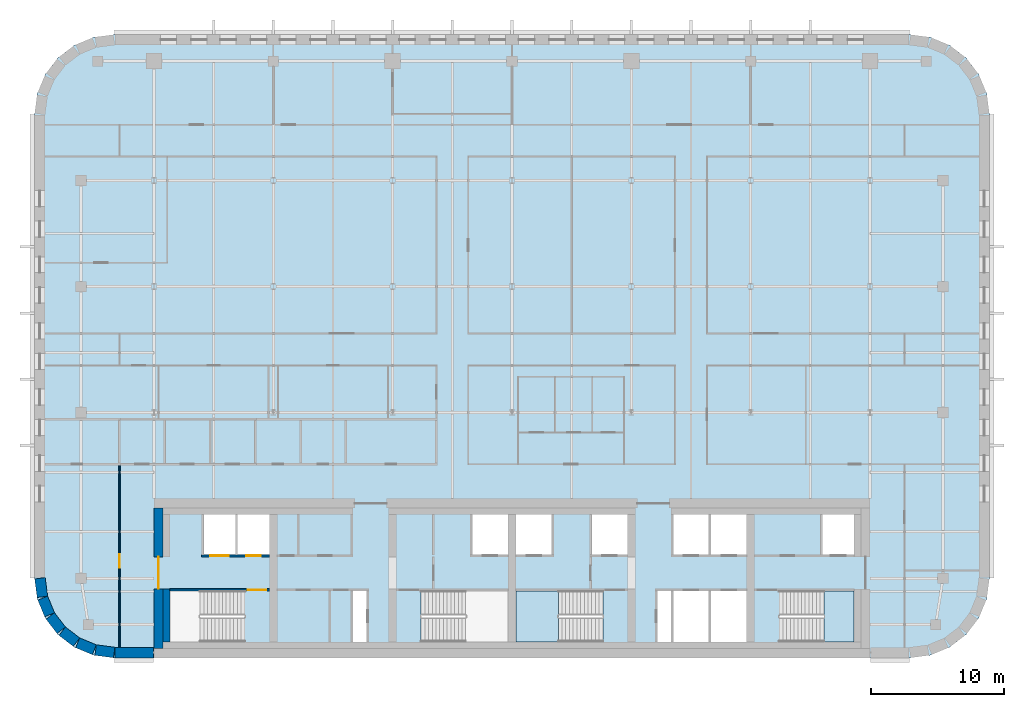
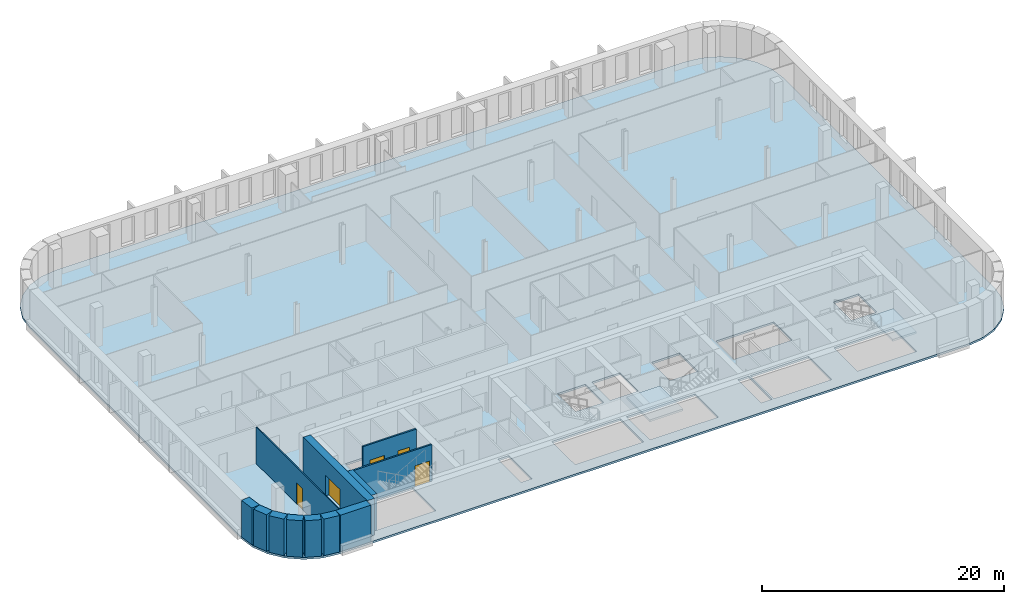
# One storey, part 5 of 15: 12 walls, 5 doors, 3 slabs, 5 openings, 2 elements without a shape of their own.
"""IFC4 building model written with IfcOpenShell, lengths in metres."""

from ifc_helpers import new_model, si_unit, direction, frame, frame_2d, origin, place, context, subcontext, project, spatial, polyline, rectangle, outline, extrude, material, layer, layer_set, type_object, element, fill, aggregate, save


model = new_model("IFC4")

# Units and contexts
model_context = context("Model", 3, precision=1e-05, world=origin(), true_north=direction((0.0, 1.0)))
body_context = subcontext(model_context, "Body", "Model", "MODEL_VIEW")
ifc_project = project(units=[si_unit("LENGTHUNIT", "METRE"), si_unit("AREAUNIT", "SQUARE_METRE"), si_unit("VOLUMEUNIT", "CUBIC_METRE"), si_unit("PLANEANGLEUNIT", "RADIAN"), si_unit("MASSUNIT", "GRAM", prefix="KILO")], contexts=[model_context])

# Site, building, storey
site_placement = place(None, origin())
site = spatial("IfcSite", under=ifc_project, at=site_placement, CompositionType="ELEMENT")
building_placement = place(site_placement, origin())
building = spatial("IfcBuilding", under=site, at=building_placement, Name="Zellij Exchange Tower", CompositionType="ELEMENT")
storey_placement = place(building_placement, frame((0.0, 0.0, 260.5)))
storey = spatial("IfcBuildingStorey", under=building, at=storey_placement, Name="L61", CompositionType="ELEMENT", Elevation=260.5)

# Stair, slab
ifc_material_1 = material(Name="Concrete C40/50", Category="concrete")
stair_type = type_object("IfcStairType", Name="CORE-ST exit stair 1850 wide", PredefinedType="HALF_TURN_STAIR", material=ifc_material_1)
stair_1_placement = place(storey_placement, origin())
stair_1 = element("IfcStair", 1, at=stair_1_placement, inside=storey, type_object=stair_type, Name="L61 exit stair ST3", PredefinedType="HALF_TURN_STAIR")
ifc_layer_1 = layer(ifc_material_1, 0.199951171875)
ifc_layer_set_1 = layer_set([ifc_layer_1], Name="Concrete C40/50")
slab_type_1 = type_object("IfcSlabType", Name="CORE-SL stair landing 200", PredefinedType="LANDING", material=ifc_layer_set_1)
slab_1_placement = place(storey_placement, frame((0.0, 0.0, 1.800048828125)))
slab_1 = element("IfcSlab", 2, at=slab_1_placement, type_object=slab_type_1, Name="ST3 landing 1", PredefinedType="LANDING", context=body_context, shape_type="SweptSolid", body=[
    extrude(outline(polyline([(3.489990234375, -8.949951171875), (0.300048828125, -8.949951171875), (0.300048828125, -12.800048828125), (3.489990234375, -12.800048828125), (3.489990234375, -8.949951171875)])), origin(), (0.0, 0.0, 1.0), 0.199951171875),
])
aggregate(stair_1, [slab_1])

stair_2_placement = place(storey_placement, origin())
stair_2 = element("IfcStair", 3, at=stair_2_placement, inside=storey, type_object=stair_type, Name="L61 exit stair ST4", PredefinedType="HALF_TURN_STAIR")
slab_2_placement = place(storey_placement, frame((0.0, 0.0, 1.800048828125)))
slab_2 = element("IfcSlab", 4, at=slab_2_placement, type_object=slab_type_1, Name="ST4 landing 1", PredefinedType="LANDING", context=body_context, shape_type="SweptSolid", body=[
    extrude(outline(polyline([(23.510009765625, -12.800048828125), (25.800048828125, -12.800048828125), (25.800048828125, -8.949951171875), (23.510009765625, -8.949951171875), (23.510009765625, -12.800048828125)])), origin(), (0.0, 0.0, 1.0), 0.199951171875),
])
aggregate(stair_2, [slab_2])

# Slab
ifc_layer_2 = layer(ifc_material_1, 0.199951171875)
ifc_layer_set_2 = layer_set([ifc_layer_2], Name="Concrete C40/50")
slab_type_2 = type_object("IfcSlabType", Name="STR-FLOOR SLAB 200 C40/50", PredefinedType="FLOOR", material=ifc_layer_set_2)
slab_3_placement = place(storey_placement, frame((0.0, 0.0, -0.2001953125)))
element("IfcSlab", 5, at=slab_3_placement, inside=storey, type_object=slab_type_2, Name="Floor L61", PredefinedType="FLOOR", context=body_context, shape_type="SweptSolid", body=[
    extrude(outline(polyline([(-30.0, -14.0), (-31.552978515625, -13.795654296875), (-33.0, -13.1962890625), (-34.24267578125, -12.24267578125), (-35.1962890625, -11.0), (-35.795654296875, -9.552978515625), (-36.0, -8.0), (-36.0, 27.0), (-35.795654296875, 28.552978515625), (-35.1962890625, 30.0), (-34.24267578125, 31.24267578125), (-33.0, 32.1962890625), (-31.552978515625, 32.795654296875), (-30.0, 33.0), (30.0, 33.0), (31.552978515625, 32.795654296875), (33.0, 32.1962890625), (34.24267578125, 31.24267578125), (35.1962890625, 30.0), (35.795654296875, 28.552978515625), (36.0, 27.0), (36.0, -8.0), (35.795654296875, -9.552978515625), (35.1962890625, -11.0), (34.24267578125, -12.24267578125), (33.0, -13.1962890625), (31.552978515625, -13.795654296875), (30.0, -14.0), (-30.0, -14.0)]), holes=[polyline([(-25.800048828125, -8.949951171875), (-25.800048828125, -12.800048828125), (-20.153076171875, -12.800048828125), (-20.153076171875, -8.949951171875), (-25.800048828125, -8.949951171875)]), polyline([(-10.949951171875, -8.949951171875), (-12.0, -8.949951171875), (-12.0, -12.800048828125), (-10.949951171875, -12.800048828125), (-10.949951171875, -8.949951171875)]), polyline([(-0.300048828125, -8.949951171875), (-6.846923828125, -8.949951171875), (-6.846923828125, -12.800048828125), (-0.300048828125, -12.800048828125), (-0.300048828125, -8.949951171875)]), polyline([(0.300048828125, -8.949951171875), (0.300048828125, -12.800048828125), (6.846923828125, -12.800048828125), (6.846923828125, -8.949951171875), (0.300048828125, -8.949951171875)]), polyline([(-18.300048828125, -3.199951171875), (-23.25, -3.199951171875), (-23.25, -6.22509765625), (-18.300048828125, -6.22509765625), (-18.300048828125, -3.199951171875)]), polyline([(-0.300048828125, -3.199951171875), (-3.0, -3.199951171875), (-3.0, -6.22509765625), (-0.300048828125, -6.22509765625), (-0.300048828125, -3.199951171875)]), polyline([(0.300048828125, -3.199951171875), (0.300048828125, -6.22509765625), (3.0, -6.22509765625), (3.0, -3.199951171875), (0.300048828125, -3.199951171875)]), polyline([(12.0, -8.949951171875), (10.949951171875, -8.949951171875), (10.949951171875, -12.800048828125), (12.0, -12.800048828125), (12.0, -8.949951171875)]), polyline([(17.699951171875, -8.949951171875), (12.14990234375, -8.949951171875), (12.14990234375, -12.800048828125), (17.699951171875, -12.800048828125), (17.699951171875, -8.949951171875)]), polyline([(25.800048828125, -8.949951171875), (20.153076171875, -8.949951171875), (20.153076171875, -12.800048828125), (25.800048828125, -12.800048828125), (25.800048828125, -8.949951171875)]), polyline([(8.699951171875, -3.199951171875), (6.0, -3.199951171875), (6.0, -6.22509765625), (8.699951171875, -6.22509765625), (8.699951171875, -3.199951171875)]), polyline([(17.699951171875, -3.199951171875), (12.14990234375, -3.199951171875), (12.14990234375, -6.22509765625), (17.699951171875, -6.22509765625), (17.699951171875, -3.199951171875)]), polyline([(25.800048828125, -3.199951171875), (23.39990234375, -3.199951171875), (23.39990234375, -6.22509765625), (25.800048828125, -6.22509765625), (25.800048828125, -3.199951171875)])]), origin(), (0.0, 0.0, 1.0), 0.2001953125),
])

# Wall
ifc_material_2 = material(Name="Concrete C30/37", Category="concrete")
ifc_layer_3 = layer(ifc_material_2, 0.5)
ifc_layer_set_3 = layer_set([ifc_layer_3], Name="Concrete C30/37")
wall_type_1 = type_object("IfcWallType", Name="CORE-LW 500 C30/37", PredefinedType="SHEAR", material=ifc_layer_set_3)
wall_1_placement = place(storey_placement, frame((-26.050048828125, -12.800048828125, 0.0), z_axis=(0.0, 0.0, 1.0), x_axis=(0.0, 1.0, 0.0)))
element("IfcWall", 6, at=wall_1_placement, inside=storey, type_object=wall_type_1, Name="Core wall lining end w.0 L61", PredefinedType="SHEAR", context=body_context, shape_type="SweptSolid", body=[
    extrude(rectangle(XDim=4.0, YDim=0.5, at=frame_2d((2.0, 0.0))), origin(), (0.0, 0.0, 1.0), 3.699951171875),
])

# Wall, openings, doors
ifc_material_3 = material(Name="Gypsum shaft wall system")
ifc_layer_4 = layer(ifc_material_3, 0.14990234375)
ifc_layer_set_4 = layer_set([ifc_layer_4], Name="Gypsum shaft wall system")
wall_type_2 = type_object("IfcWallType", Name="CORE-PW 150 Lift shaft wall", PredefinedType="PARTITIONING", material=ifc_layer_set_4)
wall_2_placement = place(storey_placement, frame((-23.39990234375, -6.300048828125, 0.0), z_axis=(0.0, 0.0, 1.0), x_axis=(1.0, 0.0, 0.0)))
wall_2 = element("IfcWall", 7, at=wall_2_placement, inside=storey, type_object=wall_type_2, Name="Lift shaft wall L61", PredefinedType="PARTITIONING", context=body_context, shape_type="SweptSolid", body=[
    extrude(rectangle(XDim=5.099853515625, YDim=0.14990234375, at=frame_2d((2.5498046875, 0.0))), origin(), (0.0, 0.0, 1.0), 3.699951171875),
])
opening_1_placement = place(wall_2_placement, frame((0.64990234375, 0.0, 0.0)))
opening_1 = element("IfcOpeningElement", 8, at=opening_1_placement, cuts=wall_2, Name="Opening CA-31.02", PredefinedType="OPENING", context=body_context, shape_type="SweptSolid", body=[
    extrude(rectangle(XDim=1.39990234375, YDim=2.10009765625, at=frame_2d((0.699951171875, 1.050048828125))), frame((0.0, 0.0869140625, 0.0), z_axis=(0.0, -1.0, 0.0), x_axis=(1.0, 0.0, 0.0)), (0.0, 0.0, 1.0), 0.173828125),
])
opening_2_placement = place(wall_2_placement, frame((3.35009765625, 0.0, 0.0)))
opening_2 = element("IfcOpeningElement", 9, at=opening_2_placement, cuts=wall_2, Name="Opening CA-31.03", PredefinedType="OPENING", context=body_context, shape_type="SweptSolid", body=[
    extrude(rectangle(XDim=1.10009765625, YDim=2.10009765625, at=frame_2d((0.550048828125, 1.050048828125))), frame((0.0, 0.0869140625, 0.0), z_axis=(0.0, -1.0, 0.0), x_axis=(1.0, 0.0, 0.0)), (0.0, 0.0, 1.0), 0.173828125),
])
ifc_material_4 = material(Name="Hollow metal fire door")
door_type_1 = type_object("IfcDoorType", Name="CORE-D LD Lift landing door 1100x2100 1.5 HR", OperationType="NOTDEFINED", PredefinedType="DOOR", material=ifc_material_4)
door_1_placement = place(opening_2_placement, origin())
door_1 = element("IfcDoor", 10, at=door_1_placement, inside=storey, type_object=door_type_1, Name="Lift landing door CA-31.03", OperationType="SLIDING_TO_LEFT", OverallHeight=2.10009765625, OverallWidth=1.10009765625, PredefinedType="DOOR", context=body_context, shape_type="SweptSolid", body=[
    extrude(rectangle(XDim=1.10009765625, YDim=2.10009765625, at=frame_2d((0.550048828125, 1.050048828125))), frame((0.0, 0.02490234375, 0.0), z_axis=(0.0, -1.0, 0.0), x_axis=(1.0, 0.0, 0.0)), (0.0, 0.0, 1.0), 0.050048828125),
])
fill(opening_2, door_1)
door_type_2 = type_object("IfcDoorType", Name="CORE-D LD2 Service lift landing door 1400x2100 1.5 HR", OperationType="NOTDEFINED", PredefinedType="DOOR", material=ifc_material_4)
door_2_placement = place(opening_1_placement, origin())
door_2 = element("IfcDoor", 11, at=door_2_placement, inside=storey, type_object=door_type_2, Name="Service lift landing door CA-31.02", OperationType="SLIDING_TO_RIGHT", OverallHeight=2.10009765625, OverallWidth=1.39990234375, PredefinedType="DOOR", context=body_context, shape_type="SweptSolid", body=[
    extrude(rectangle(XDim=1.39990234375, YDim=2.10009765625, at=frame_2d((0.699951171875, 1.050048828125))), frame((0.0, 0.02490234375, 0.0), z_axis=(0.0, -1.0, 0.0), x_axis=(1.0, 0.0, 0.0)), (0.0, 0.0, 1.0), 0.050048828125),
])
fill(opening_1, door_2)

# Wall, opening, door
ifc_material_5 = material(Name="Concrete C50/60", Category="concrete")
ifc_layer_5 = layer(ifc_material_5, 0.699951171875)
ifc_layer_set_5 = layer_set([ifc_layer_5], Name="Concrete C50/60")
wall_type_3 = type_object("IfcWallType", Name="CORE-SW 700 C50/60", PredefinedType="SHEAR", material=ifc_layer_set_5)
wall_3_placement = place(storey_placement, frame((-26.64990234375, -13.300048828125, 0.0), z_axis=(0.0, 0.0, 1.0), x_axis=(0.0, 1.0, 0.0)))
wall_3 = element("IfcWall", 12, at=wall_3_placement, inside=storey, type_object=wall_type_3, Name="Core shear wall end w L61", PredefinedType="SHEAR", context=body_context, shape_type="SweptSolid", body=[
    extrude(rectangle(XDim=10.60009765625, YDim=0.699951171875, at=frame_2d((5.300048828125, 0.0))), origin(), (0.0, 0.0, 1.0), 3.699951171875),
])
opening_3_placement = place(wall_3_placement, frame((4.511962890625, 0.0, 0.0)))
opening_3 = element("IfcOpeningElement", 13, at=opening_3_placement, cuts=wall_3, Name="Opening CA-31.01", PredefinedType="OPENING", context=body_context, shape_type="SweptSolid", body=[
    extrude(rectangle(XDim=2.39990234375, YDim=2.10009765625, at=frame_2d((1.199951171875, 1.050048828125))), frame((0.0, 0.36181640625, 0.0), z_axis=(0.0, -1.0, 0.0), x_axis=(1.0, 0.0, 0.0)), (0.0, 0.0, 1.0), 0.723876953125),
])
door_type_3 = type_object("IfcDoorType", Name="CORE-D CE Core entrance door 2400x2100 20 MIN", OperationType="NOTDEFINED", PredefinedType="DOOR", material=ifc_material_4)
door_3_placement = place(opening_3_placement, origin())
door_3 = element("IfcDoor", 14, at=door_3_placement, inside=storey, type_object=door_type_3, Name="Core entrance door CA-31.01", OperationType="DOUBLE_DOOR_SINGLE_SWING", OverallHeight=2.10009765625, OverallWidth=2.39990234375, PredefinedType="DOOR", context=body_context, shape_type="SweptSolid", body=[
    extrude(rectangle(XDim=2.39990234375, YDim=2.10009765625, at=frame_2d((1.199951171875, 1.050048828125))), frame((0.0, 0.02490234375, 0.0), z_axis=(0.0, -1.0, 0.0), x_axis=(1.0, 0.0, 0.0)), (0.0, 0.0, 1.0), 0.050048828125),
])
fill(opening_3, door_3)

ifc_layer_6 = layer(ifc_material_5, 0.14990234375)
ifc_layer_set_6 = layer_set([ifc_layer_6], Name="Concrete C50/60")
wall_type_4 = type_object("IfcWallType", Name="CORE-SWS 150 C50/60", PredefinedType="SHEAR", material=ifc_layer_set_6)
wall_4_placement = place(storey_placement, frame((-25.800048828125, -8.875, 0.0), z_axis=(0.0, 0.0, 1.0), x_axis=(1.0, 0.0, 0.0)))
wall_4 = element("IfcWall", 15, at=wall_4_placement, inside=storey, type_object=wall_type_4, Name="Stair enclosure wall L61", PredefinedType="SHEAR", context=body_context, shape_type="SweptSolid", body=[
    extrude(rectangle(XDim=7.5, YDim=0.14990234375, at=frame_2d((3.75, 0.0))), origin(), (0.0, 0.0, 1.0), 3.699951171875),
])
opening_4_placement = place(wall_4_placement, frame((5.875, 0.0, 0.0)))
opening_4 = element("IfcOpeningElement", 16, at=opening_4_placement, cuts=wall_4, Name="Opening CA-31.04", PredefinedType="OPENING", context=body_context, shape_type="SweptSolid", body=[
    extrude(rectangle(XDim=1.39990234375, YDim=2.10009765625, at=frame_2d((0.699951171875, 1.050048828125))), frame((0.0, 0.0869140625, 0.0), z_axis=(0.0, -1.0, 0.0), x_axis=(1.0, 0.0, 0.0)), (0.0, 0.0, 1.0), 0.173828125),
])
door_type_4 = type_object("IfcDoorType", Name="CORE-D SD Stair door 1400x2100 1.5 HR", OperationType="NOTDEFINED", PredefinedType="DOOR", material=ifc_material_4)
door_4_placement = place(opening_4_placement, origin())
door_4 = element("IfcDoor", 17, at=door_4_placement, inside=storey, type_object=door_type_4, Name="Stair door CA-31.04", OperationType="DOUBLE_DOOR_SINGLE_SWING", OverallHeight=2.10009765625, OverallWidth=1.39990234375, PredefinedType="DOOR", context=body_context, shape_type="SweptSolid", body=[
    extrude(rectangle(XDim=1.39990234375, YDim=2.10009765625, at=frame_2d((0.699951171875, 1.050048828125))), frame((0.0, 0.02490234375, 0.0), z_axis=(0.0, -1.0, 0.0), x_axis=(1.0, 0.0, 0.0)), (0.0, 0.0, 1.0), 0.050048828125),
])
fill(opening_4, door_4)

# Walls
ifc_material_6 = material(Name="Precast concrete C40/50", Category="concrete")
ifc_layer_7 = layer(ifc_material_6, 0.800048828125)
ifc_layer_set_7 = layer_set([ifc_layer_7], Name="Precast concrete C40/50")
wall_type_5 = type_object("IfcWallType", Name="ENV-EW1 Precast stone-piered wall 800", PredefinedType="SOLIDWALL", material=ifc_layer_set_7)
wall_5_placement = place(storey_placement, frame((-29.947509765625, -13.60009765625, 0.0), z_axis=(0.0, 0.0, 1.0), x_axis=(1.0, 0.0, 0.0)))
element("IfcWall", 18, at=wall_5_placement, inside=storey, type_object=wall_type_5, Name="fac.L61.00a", PredefinedType="SOLIDWALL", context=body_context, shape_type="SweptSolid", body=[
    extrude(rectangle(XDim=2.8974609375, YDim=0.800048828125, at=frame_2d((1.44873046875, 0.0))), origin(), (0.0, 0.0, 1.0), 3.699951171875),
])
wall_6_placement = place(storey_placement, frame((-35.5966796875, -7.999755859375, 0.0), z_axis=(0.0, 0.0, 1.0), x_axis=(0.130517283865, -0.99144603414, 0.0)))
element("IfcWall", 19, at=wall_6_placement, inside=storey, type_object=wall_type_5, Name="fac.L61.22", PredefinedType="SOLIDWALL", context=body_context, shape_type="SweptSolid", body=[
    extrude(rectangle(XDim=1.408447265625, YDim=0.800048828125, at=frame_2d((0.7041015625, 0.0))), origin(), (0.0, 0.0, 1.0), 3.699951171875),
])
wall_7_placement = place(storey_placement, frame((-35.3857421875, -9.497314453125, 0.0), z_axis=(0.0, 0.0, 1.0), x_axis=(0.38276009378, -0.923847774587, 0.0)))
element("IfcWall", 20, at=wall_7_placement, inside=storey, type_object=wall_type_5, Name="fac.L61.23", PredefinedType="SOLIDWALL", context=body_context, shape_type="SweptSolid", body=[
    extrude(rectangle(XDim=1.35546875, YDim=0.800048828125, at=frame_2d((0.677734375, 0.0))), origin(), (0.0, 0.0, 1.0), 3.699951171875),
])
for number, where, z_axis, x_axis, name in (
    (21, (-34.814697265625, -10.840087890625, 0.0), (0.0, 0.0, 1.0), (0.608866226366, -0.793272915452, 0.0), "fac.L61.24"),
    (22, (-33.91552734375, -11.9892578125, 0.0), (0.0, 0.0, 1.0), (0.793272915452, -0.608866226366, 0.0), "fac.L61.25"),
):
    element("IfcWall", number, at=place(storey_placement, frame(where, z_axis=z_axis, x_axis=x_axis)), inside=storey, type_object=wall_type_5, Name=name, PredefinedType="SOLIDWALL", context=body_context, shape_type="SweptSolid", body=[
        extrude(rectangle(XDim=1.355712890625, YDim=0.800048828125, at=frame_2d((0.677734375, 0.0))), origin(), (0.0, 0.0, 1.0), 3.699951171875),
    ])
wall_8_placement = place(storey_placement, frame((-32.74951171875, -12.866943359375, 0.0), z_axis=(0.0, 0.0, 1.0), x_axis=(0.923847774587, -0.38276009378, 0.0)))
element("IfcWall", 23, at=wall_8_placement, inside=storey, type_object=wall_type_5, Name="fac.L61.26", PredefinedType="SOLIDWALL", context=body_context, shape_type="SweptSolid", body=[
    extrude(rectangle(XDim=1.35546875, YDim=0.800048828125, at=frame_2d((0.677734375, 0.0))), origin(), (0.0, 0.0, 1.0), 3.699951171875),
])
wall_9_placement = place(storey_placement, frame((-31.396240234375, -13.412841796875, 0.0), z_axis=(0.0, 0.0, 1.0), x_axis=(0.99144603414, -0.130517283865, 0.0)))
element("IfcWall", 24, at=wall_9_placement, inside=storey, type_object=wall_type_5, Name="fac.L61.27", PredefinedType="SOLIDWALL", context=body_context, shape_type="SweptSolid", body=[
    extrude(rectangle(XDim=1.408447265625, YDim=0.800048828125, at=frame_2d((0.7041015625, 0.0))), origin(), (0.0, 0.0, 1.0), 3.699951171875),
])

# Wall, opening, door
ifc_material_7 = material(Name="Gypsum board partition on steel studs", Category="steel")
ifc_layer_8 = layer(ifc_material_7, 0.10009765625)
ifc_layer_set_8 = layer_set([ifc_layer_8], Name="Gypsum board partition on steel studs")
wall_type_6 = type_object("IfcWallType", Name="FIT-PARTITION-100", PredefinedType="PARTITIONING", material=ifc_layer_set_8)
wall_10_placement = place(storey_placement, frame((-29.60009765625, -13.199951171875, 0.0), z_axis=(0.0, 0.0, 1.0), x_axis=(0.0, 1.0, 0.0)))
wall_10 = element("IfcWall", 25, at=wall_10_placement, inside=storey, type_object=wall_type_6, Name="FIT-PARTITION-100 001", PredefinedType="PARTITIONING", context=body_context, shape_type="SweptSolid", body=[
    extrude(rectangle(XDim=13.699951171875, YDim=0.10009765625, at=frame_2d((6.85009765625, 0.0))), origin(), (0.0, 0.0, 1.0), 3.699951171875),
])
opening_5_placement = place(wall_10_placement, frame((6.0, 0.0, 0.0)))
opening_5 = element("IfcOpeningElement", 26, at=opening_5_placement, cuts=wall_10, Name="Opening O4F.01", PredefinedType="OPENING", context=body_context, shape_type="SweptSolid", body=[
    extrude(rectangle(XDim=1.0, YDim=2.10009765625, at=frame_2d((0.5, 1.050048828125))), frame((0.0, 0.06201171875, 0.0), z_axis=(0.0, -1.0, 0.0), x_axis=(1.0, 0.0, 0.0)), (0.0, 0.0, 1.0), 0.1240234375),
])
ifc_material_8 = material(Name="Timber door set", Category="wood")
door_type_5 = type_object("IfcDoorType", Name="FIT-D2-WIDE-1000X2100", OperationType="SINGLE_SWING_LEFT", PredefinedType="DOOR", material=ifc_material_8)
door_5_placement = place(opening_5_placement, origin())
door_5 = element("IfcDoor", 27, at=door_5_placement, inside=storey, type_object=door_type_5, Name="Door O4F.01", OperationType="SINGLE_SWING_RIGHT", OverallHeight=2.10009765625, OverallWidth=1.0, PredefinedType="DOOR", context=body_context, shape_type="SweptSolid", body=[
    extrude(rectangle(XDim=1.0, YDim=2.10009765625, at=frame_2d((0.5, 1.050048828125))), frame((0.0, 0.02490234375, 0.0), z_axis=(0.0, -1.0, 0.0), x_axis=(1.0, 0.0, 0.0)), (0.0, 0.0, 1.0), 0.050048828125),
])
fill(opening_5, door_5)

save(model, "model.ifc")
